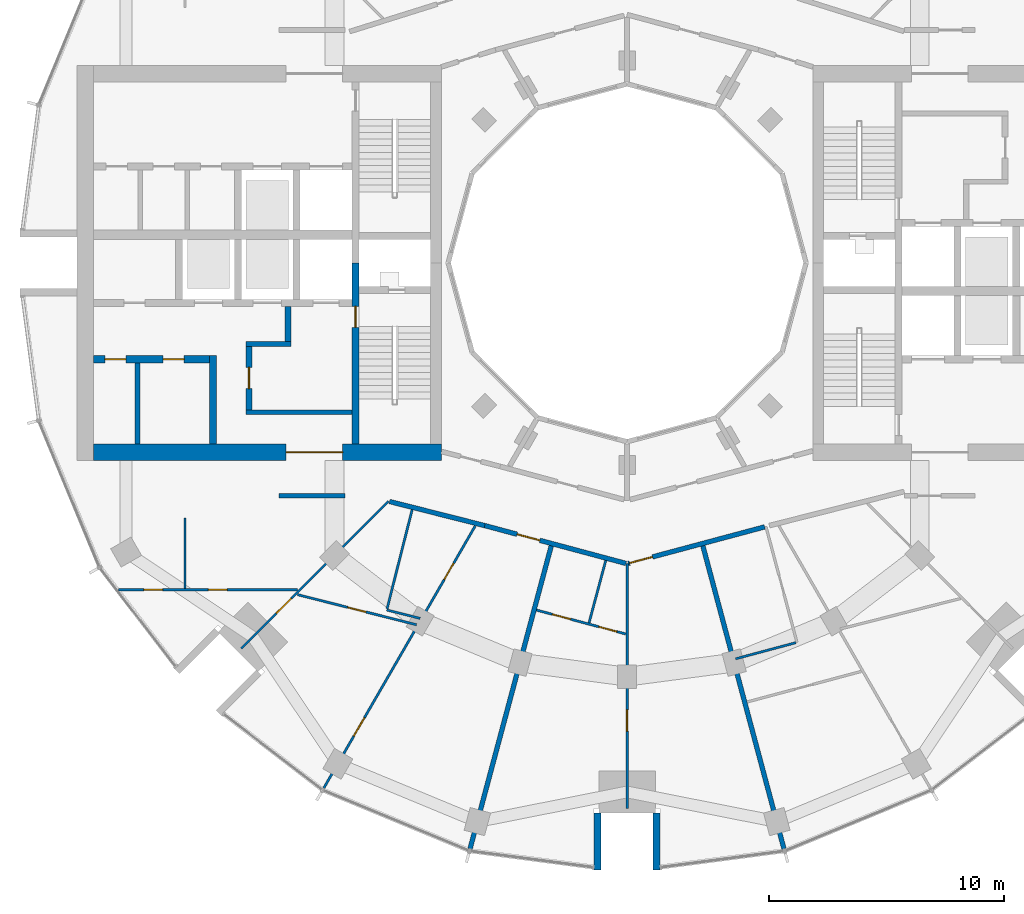
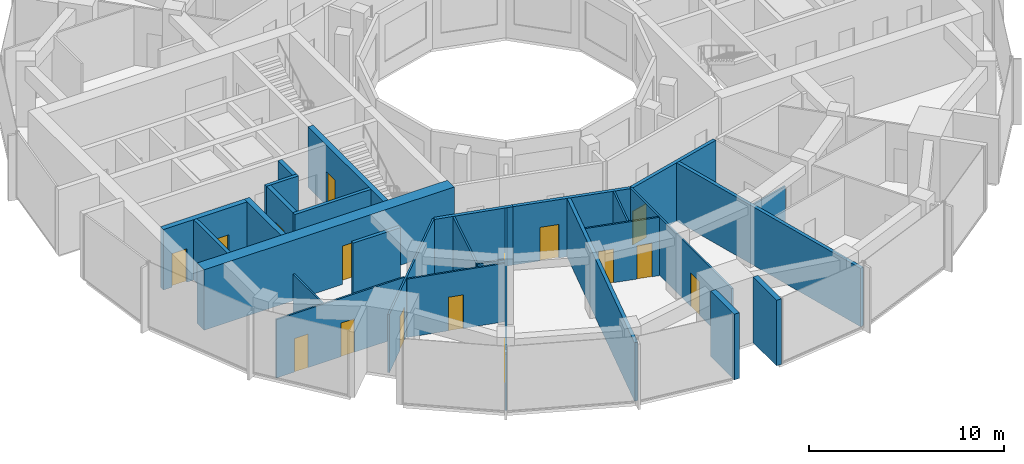
# One storey, part 8 of 15: 28 walls, 16 doors, 16 openings.
"""IFC4 building model written with IfcOpenShell, lengths in metres."""

from ifc_helpers import new_model, si_unit, direction, frame, frame_2d, origin, place, context, subcontext, project, spatial, rectangle, extrude, material, layer, layer_set, type_object, element, fill, save


model = new_model("IFC4")

# Units and contexts
model_context = context("Model", 3, precision=1e-05, world=origin(), true_north=direction((0.0, 1.0)))
body_context = subcontext(model_context, "Body", "Model", "MODEL_VIEW")
ifc_project = project(units=[si_unit("LENGTHUNIT", "METRE"), si_unit("AREAUNIT", "SQUARE_METRE"), si_unit("VOLUMEUNIT", "CUBIC_METRE"), si_unit("PLANEANGLEUNIT", "RADIAN"), si_unit("MASSUNIT", "GRAM", prefix="KILO")], contexts=[model_context])

# Site, building, storey
site_placement = place(None, origin())
site = spatial("IfcSite", under=ifc_project, at=site_placement, CompositionType="ELEMENT")
building_placement = place(site_placement, origin())
building = spatial("IfcBuilding", under=site, at=building_placement, Name="Torre Brocal", CompositionType="ELEMENT")
storey_placement = place(building_placement, frame((0.0, 0.0, 186.39990234375)))
storey = spatial("IfcBuildingStorey", under=building, at=storey_placement, Name="L43", CompositionType="ELEMENT", Elevation=186.39990234375)

# Walls
ifc_material_1 = material(Name="Masonry block", Category="masonry")
ifc_layer_1 = layer(ifc_material_1, 0.199951171875)
ifc_layer_set_1 = layer_set([ifc_layer_1], Name="Masonry block")
wall_type_1 = type_object("IfcWallType", Name="CORE PARTITION 200", PredefinedType="PARTITIONING", material=ifc_layer_set_1)
wall_1_placement = place(storey_placement, frame((59.180908203125, 70.75, 0.0), z_axis=(0.0, 0.0, 1.0), x_axis=(0.0, -1.0, 0.0)))
element("IfcWall", 1, at=wall_1_placement, inside=storey, type_object=wall_type_1, Name="Wall CP200", PredefinedType="PARTITIONING", context=body_context, shape_type="SweptSolid", body=[
    extrude(rectangle(XDim=3.449951171875, YDim=0.199951171875, at=frame_2d((1.72509765625, 0.0))), origin(), (0.0, 0.0, 1.0), 3.780029296875),
])
ifc_material_2 = material(Name="Concrete C70", Category="concrete")
ifc_layer_2 = layer(ifc_material_2, 0.199951171875)
ifc_layer_set_2 = layer_set([ifc_layer_2], Name="Concrete C70")
wall_type_2 = type_object("IfcWallType", Name="CORE WALL 200 C70", PredefinedType="SHEAR", material=ifc_layer_set_2)
wall_2_placement = place(storey_placement, frame((68.300048828125, 68.64990234375, 0.0), z_axis=(0.0, 0.0, 1.0), x_axis=(-1.0, 0.0, 0.0)))
element("IfcWall", 2, at=wall_2_placement, inside=storey, type_object=wall_type_2, Name="Wall CW200-70", PredefinedType="SHEAR", context=body_context, shape_type="SweptSolid", body=[
    extrude(rectangle(XDim=4.5, YDim=0.199951171875, at=frame_2d((2.25, 0.0))), origin(), (0.0, 0.0, 1.0), 3.780029296875),
])
wall_3_placement = place(storey_placement, frame((65.699951171875, 71.550048828125, 0.0), z_axis=(0.0, 0.0, 1.0), x_axis=(-1.0, 0.0, 0.0)))
element("IfcWall", 3, at=wall_3_placement, inside=storey, type_object=wall_type_2, Name="Wall CW200-70", PredefinedType="SHEAR", context=body_context, shape_type="SweptSolid", body=[
    extrude(rectangle(XDim=1.89990234375, YDim=0.199951171875, at=frame_2d((0.949951171875, 0.0))), origin(), (0.0, 0.0, 1.0), 3.780029296875),
])

# Wall, opening, door
ifc_material_3 = material(Name="Concrete C70", Category="concrete")
ifc_layer_3 = layer(ifc_material_3, 0.25)
ifc_layer_set_3 = layer_set([ifc_layer_3], Name="Concrete C70")
wall_type_3 = type_object("IfcWallType", Name="CORE WALL 250 C70", PredefinedType="SHEAR", material=ifc_layer_set_3)
wall_4_placement = place(storey_placement, frame((63.925048828125, 71.449951171875, 0.0), z_axis=(0.0, 0.0, 1.0), x_axis=(0.0, -1.0, 0.0)))
wall_4 = element("IfcWall", 4, at=wall_4_placement, inside=storey, type_object=wall_type_3, Name="Wall CW250-70", PredefinedType="SHEAR", context=body_context, shape_type="SweptSolid", body=[
    extrude(rectangle(XDim=2.699951171875, YDim=0.25, at=frame_2d((1.35009765625, 0.0))), origin(), (0.0, 0.0, 1.0), 3.780029296875),
])
opening_1_placement = place(wall_4_placement, frame((0.89990234375, 0.0, 0.0)))
opening_1 = element("IfcOpeningElement", 5, at=opening_1_placement, cuts=wall_4, Name="Opening W-D08", PredefinedType="OPENING", context=body_context, shape_type="SweptSolid", body=[
    extrude(rectangle(XDim=0.89990234375, YDim=2.10009765625, at=frame_2d((0.449951171875, 1.050048828125))), frame((0.0, 0.135009765625, 0.0), z_axis=(0.0, -1.0, 0.0), x_axis=(1.0, 0.0, 0.0)), (0.0, 0.0, 1.0), 0.27001953125),
])
ifc_material_4 = material(Name="Steel A653", Category="steel")
door_type_1 = type_object("IfcDoorType", Name="LOBBY DOOR FD120 900X2100", OperationType="SINGLE_SWING_RIGHT", PredefinedType="DOOR", material=ifc_material_4)
door_1_placement = place(opening_1_placement, origin())
door_1 = element("IfcDoor", 6, at=door_1_placement, inside=storey, type_object=door_type_1, Name="Door W-D08", OperationType="SINGLE_SWING_LEFT", OverallHeight=2.10009765625, OverallWidth=0.89990234375, PredefinedType="DOOR", context=body_context, shape_type="SweptSolid", body=[
    extrude(rectangle(XDim=0.89990234375, YDim=2.10009765625, at=frame_2d((0.449951171875, 1.050048828125))), frame((0.0, 0.02490234375, 0.0), z_axis=(0.0, -1.0, 0.0), x_axis=(1.0, 0.0, 0.0)), (0.0, 0.0, 1.0), 0.050048828125),
])
fill(opening_1, door_1)

# Wall
wall_5_placement = place(storey_placement, frame((65.574951171875, 73.14990234375, 0.0), z_axis=(0.0, 0.0, 1.0), x_axis=(0.0, -1.0, 0.0)))
element("IfcWall", 7, at=wall_5_placement, inside=storey, type_object=wall_type_3, Name="Wall CW250-70", PredefinedType="SHEAR", context=body_context, shape_type="SweptSolid", body=[
    extrude(rectangle(XDim=1.5, YDim=0.25, at=frame_2d((0.75, 0.0))), origin(), (0.0, 0.0, 1.0), 3.780029296875),
])

# Wall, opening, door
ifc_material_5 = material(Name="Concrete C70", Category="concrete")
ifc_layer_4 = layer(ifc_material_5, 0.300048828125)
ifc_layer_set_4 = layer_set([ifc_layer_4], Name="Concrete C70")
wall_type_4 = type_object("IfcWallType", Name="CORE WALL 300 C70", PredefinedType="SHEAR", material=ifc_layer_set_4)
wall_6_placement = place(storey_placement, frame((68.449951171875, 75.0, 0.0), z_axis=(0.0, 0.0, 1.0), x_axis=(0.0, -1.0, 0.0)))
wall_6 = element("IfcWall", 8, at=wall_6_placement, inside=storey, type_object=wall_type_4, Name="Wall CW300-70", PredefinedType="SHEAR", context=body_context, shape_type="SweptSolid", body=[
    extrude(rectangle(XDim=7.699951171875, YDim=0.300048828125, at=frame_2d((3.85009765625, 0.0))), origin(), (0.0, 0.0, 1.0), 3.780029296875),
])
opening_2_placement = place(wall_6_placement, frame((1.85009765625, 0.0, 0.0)))
opening_2 = element("IfcOpeningElement", 9, at=opening_2_placement, cuts=wall_6, Name="Opening W-D02", PredefinedType="OPENING", context=body_context, shape_type="SweptSolid", body=[
    extrude(rectangle(XDim=0.89990234375, YDim=2.10009765625, at=frame_2d((0.449951171875, 1.050048828125))), frame((0.0, 0.159912109375, 0.0), z_axis=(0.0, -1.0, 0.0), x_axis=(1.0, 0.0, 0.0)), (0.0, 0.0, 1.0), 0.320068359375),
])
ifc_material_6 = material(Name="Steel A653", Category="steel")
door_type_2 = type_object("IfcDoorType", Name="STAIR DOOR FD120 900X2100", OperationType="SINGLE_SWING_RIGHT", PredefinedType="DOOR", material=ifc_material_6)
door_2_placement = place(opening_2_placement, origin())
door_2 = element("IfcDoor", 10, at=door_2_placement, inside=storey, type_object=door_type_2, Name="Door W-D02", OperationType="SINGLE_SWING_LEFT", OverallHeight=2.10009765625, OverallWidth=0.89990234375, PredefinedType="DOOR", context=body_context, shape_type="SweptSolid", body=[
    extrude(rectangle(XDim=0.89990234375, YDim=2.10009765625, at=frame_2d((0.449951171875, 1.050048828125))), frame((0.0, 0.02490234375, 0.0), z_axis=(0.0, -1.0, 0.0), x_axis=(1.0, 0.0, 0.0)), (0.0, 0.0, 1.0), 0.050048828125),
])
fill(opening_2, door_2)

# Wall
wall_7_placement = place(storey_placement, frame((62.39990234375, 71.050048828125, 0.0), z_axis=(0.0, 0.0, 1.0), x_axis=(0.0, -1.0, 0.0)))
element("IfcWall", 11, at=wall_7_placement, inside=storey, type_object=wall_type_4, Name="Wall CW300-70", PredefinedType="SHEAR", context=body_context, shape_type="SweptSolid", body=[
    extrude(rectangle(XDim=3.75, YDim=0.300048828125, at=frame_2d((1.875, 0.0))), origin(), (0.0, 0.0, 1.0), 3.780029296875),
])

# Wall, openings, doors
wall_8_placement = place(storey_placement, frame((62.25, 70.89990234375, 0.0), z_axis=(0.0, 0.0, 1.0), x_axis=(-1.0, 0.0, 0.0)))
wall_8 = element("IfcWall", 12, at=wall_8_placement, inside=storey, type_object=wall_type_4, Name="Wall CW300-70", PredefinedType="SHEAR", context=body_context, shape_type="SweptSolid", body=[
    extrude(rectangle(XDim=4.949951171875, YDim=0.300048828125, at=frame_2d((2.47509765625, 0.0))), origin(), (0.0, 0.0, 1.0), 3.780029296875),
])
opening_3_placement = place(wall_8_placement, frame((1.08447265625, 0.0, 0.0)))
opening_3 = element("IfcOpeningElement", 13, at=opening_3_placement, cuts=wall_8, Name="Opening W-D09", PredefinedType="OPENING", context=body_context, shape_type="SweptSolid", body=[
    extrude(rectangle(XDim=0.89990234375, YDim=2.10009765625, at=frame_2d((0.449951171875, 1.050048828125))), frame((0.0, 0.159912109375, 0.0), z_axis=(0.0, -1.0, 0.0), x_axis=(1.0, 0.0, 0.0)), (0.0, 0.0, 1.0), 0.320068359375),
])
opening_4_placement = place(wall_8_placement, frame((3.5595703125, 0.0, 0.0)))
opening_4 = element("IfcOpeningElement", 14, at=opening_4_placement, cuts=wall_8, Name="Opening W-D10", PredefinedType="OPENING", context=body_context, shape_type="SweptSolid", body=[
    extrude(rectangle(XDim=0.89990234375, YDim=2.10009765625, at=frame_2d((0.449951171875, 1.050048828125))), frame((0.0, 0.159912109375, 0.0), z_axis=(0.0, -1.0, 0.0), x_axis=(1.0, 0.0, 0.0)), (0.0, 0.0, 1.0), 0.320068359375),
])
ifc_material_7 = material(Name="Steel A653", Category="steel")
door_type_3 = type_object("IfcDoorType", Name="ROOM DOOR FD30S 900X2100", OperationType="SINGLE_SWING_LEFT", PredefinedType="DOOR", material=ifc_material_7)
door_3_placement = place(opening_3_placement, origin())
door_3 = element("IfcDoor", 15, at=door_3_placement, inside=storey, type_object=door_type_3, Name="Door W-D09", OperationType="SINGLE_SWING_RIGHT", OverallHeight=2.10009765625, OverallWidth=0.89990234375, PredefinedType="DOOR", context=body_context, shape_type="SweptSolid", body=[
    extrude(rectangle(XDim=0.89990234375, YDim=2.10009765625, at=frame_2d((0.449951171875, 1.050048828125))), frame((0.0, 0.02490234375, 0.0), z_axis=(0.0, -1.0, 0.0), x_axis=(1.0, 0.0, 0.0)), (0.0, 0.0, 1.0), 0.050048828125),
])
fill(opening_3, door_3)
door_4_placement = place(opening_4_placement, origin())
door_4 = element("IfcDoor", 16, at=door_4_placement, inside=storey, type_object=door_type_3, Name="Door W-D10", OperationType="SINGLE_SWING_LEFT", OverallHeight=2.10009765625, OverallWidth=0.89990234375, PredefinedType="DOOR", context=body_context, shape_type="SweptSolid", body=[
    extrude(rectangle(XDim=0.89990234375, YDim=2.10009765625, at=frame_2d((0.449951171875, 1.050048828125))), frame((0.0, 0.02490234375, 0.0), z_axis=(0.0, -1.0, 0.0), x_axis=(1.0, 0.0, 0.0)), (0.0, 0.0, 1.0), 0.050048828125),
])
fill(opening_4, door_4)

# Wall, opening, door
ifc_material_8 = material(Name="Concrete C70", Category="concrete")
ifc_layer_5 = layer(ifc_material_8, 0.699951171875)
ifc_layer_set_5 = layer_set([ifc_layer_5], Name="Concrete C70")
wall_type_5 = type_object("IfcWallType", Name="CORE WALL 700 C70", PredefinedType="SHEAR", material=ifc_layer_set_5)
wall_9_placement = place(storey_placement, frame((72.10009765625, 66.949951171875, 0.0), z_axis=(0.0, 0.0, 1.0), x_axis=(-1.0, 0.0, 0.0)))
wall_9 = element("IfcWall", 17, at=wall_9_placement, inside=storey, type_object=wall_type_5, Name="Wall CW700-70", PredefinedType="SHEAR", context=body_context, shape_type="SweptSolid", body=[
    extrude(rectangle(XDim=14.800048828125, YDim=0.699951171875, at=frame_2d((7.39990234375, 0.0))), origin(), (0.0, 0.0, 1.0), 3.780029296875),
])
opening_5_placement = place(wall_9_placement, frame((4.199951171875, 0.0, 0.0)))
opening_5 = element("IfcOpeningElement", 18, at=opening_5_placement, cuts=wall_9, Name="Opening W-D34", PredefinedType="OPENING", context=body_context, shape_type="SweptSolid", body=[
    extrude(rectangle(XDim=2.39990234375, YDim=2.39990234375, at=frame_2d((1.199951171875, 1.199951171875))), frame((0.0, 0.35986328125, 0.0), z_axis=(0.0, -1.0, 0.0), x_axis=(1.0, 0.0, 0.0)), (0.0, 0.0, 1.0), 0.719970703125),
])
ifc_material_9 = material(Name="Steel A653", Category="steel")
door_type_4 = type_object("IfcDoorType", Name="DOUBLE FIRE DOOR FD90 2400X2400", OperationType="DOUBLE_DOOR_SINGLE_SWING", PredefinedType="DOOR", material=ifc_material_9)
door_5_placement = place(opening_5_placement, frame((2.39990234375, 0.0, 0.0), z_axis=(0.0, 0.0, 1.0), x_axis=(-1.0, 0.0, 0.0)))
door_5 = element("IfcDoor", 19, at=door_5_placement, inside=storey, type_object=door_type_4, Name="Door W-D34", OperationType="DOUBLE_DOOR_SINGLE_SWING", OverallHeight=2.39990234375, OverallWidth=2.39990234375, PredefinedType="DOOR", context=body_context, shape_type="SweptSolid", body=[
    extrude(rectangle(XDim=2.39990234375, YDim=2.39990234375, at=frame_2d((1.199951171875, 1.199951171875))), frame((0.0, 0.02490234375, 0.0), z_axis=(0.0, -1.0, 0.0), x_axis=(1.0, 0.0, 0.0)), (0.0, 0.0, 1.0), 0.050048828125),
])
fill(opening_5, door_5)

# Walls
ifc_material_10 = material(Name="Concrete C70", Category="concrete")
ifc_layer_6 = layer(ifc_material_10, 0.300048828125)
ifc_layer_set_6 = layer_set([ifc_layer_6], Name="Concrete C70")
wall_type_6 = type_object("IfcWallType", Name="NOTCH RETURN WALL 300 C70", PredefinedType="NOTDEFINED", material=ifc_layer_set_6)
for number, where, z_axis, x_axis, name in (
    (20, (78.75, 51.60009765625, 0.0), (0.0, 0.0, 1.0), (0.0, -1.0, 0.0), "NOTCH RETURN WALL"),
    (21, (81.25, 51.60009765625, 0.0), (0.0, 0.0, 1.0), (0.0, -1.0, 0.0), "NOTCH RETURN WALL"),
):
    element("IfcWall", number, at=place(storey_placement, frame(where, z_axis=z_axis, x_axis=x_axis)), inside=storey, type_object=wall_type_6, Name=name, PredefinedType="NOTDEFINED", context=body_context, shape_type="SweptSolid", body=[
        extrude(rectangle(XDim=2.415771484375, YDim=0.300048828125, at=frame_2d((1.2080078125, 0.0))), origin(), (0.0, 0.0, 1.0), 4.10009765625),
    ])

# Wall, openings, doors
ifc_material_11 = material(Name="Gypsum board", Category="Gypsum")
ifc_layer_7 = layer(ifc_material_11, 0.10009765625)
ifc_layer_set_7 = layer_set([ifc_layer_7], Name="Gypsum board")
wall_type_7 = type_object("IfcWallType", Name="PARTITION 100", PredefinedType="PARTITIONING", material=ifc_layer_set_7)
wall_10_placement = place(storey_placement, frame((58.37890625, 61.10009765625, 0.0), z_axis=(0.0, 0.0, 1.0), x_axis=(1.0, 0.0, 0.0)))
wall_10 = element("IfcWall", 22, at=wall_10_placement, inside=storey, type_object=wall_type_7, Name="BATHROOM WALL", PredefinedType="PARTITIONING", context=body_context, shape_type="SweptSolid", body=[
    extrude(rectangle(XDim=7.60107421875, YDim=0.10009765625, at=frame_2d((3.800537109375, 0.0))), origin(), (0.0, 0.0, 1.0), 3.650146484375),
])
opening_6_placement = place(wall_10_placement, frame((3.81103515625, 0.0, 0.0)))
opening_6 = element("IfcOpeningElement", 23, at=opening_6_placement, cuts=wall_10, Name="Opening R03-D36", PredefinedType="OPENING", context=body_context, shape_type="SweptSolid", body=[
    extrude(rectangle(XDim=0.800048828125, YDim=2.10009765625, at=frame_2d((0.39990234375, 1.050048828125))), frame((0.0, 0.06005859375, 0.0), z_axis=(0.0, -1.0, 0.0), x_axis=(1.0, 0.0, 0.0)), (0.0, 0.0, 1.0), 0.1201171875),
])
opening_7_placement = place(wall_10_placement, frame((1.075439453125, 0.0, 0.0)))
opening_7 = element("IfcOpeningElement", 24, at=opening_7_placement, cuts=wall_10, Name="Opening R03-D37", PredefinedType="OPENING", context=body_context, shape_type="SweptSolid", body=[
    extrude(rectangle(XDim=0.800048828125, YDim=2.10009765625, at=frame_2d((0.39990234375, 1.050048828125))), frame((0.0, 0.06005859375, 0.0), z_axis=(0.0, -1.0, 0.0), x_axis=(1.0, 0.0, 0.0)), (0.0, 0.0, 1.0), 0.1201171875),
])
ifc_material_12 = material(Name="Timber", Category="wood")
door_type_5 = type_object("IfcDoorType", Name="BATHROOM DOOR 800X2100", OperationType="SINGLE_SWING_LEFT", PredefinedType="DOOR", material=ifc_material_12)
door_6_placement = place(opening_6_placement, origin())
door_6 = element("IfcDoor", 25, at=door_6_placement, inside=storey, type_object=door_type_5, Name="R03-D36", OperationType="SINGLE_SWING_LEFT", OverallHeight=2.10009765625, OverallWidth=0.800048828125, PredefinedType="DOOR", context=body_context, shape_type="SweptSolid", body=[
    extrude(rectangle(XDim=0.800048828125, YDim=2.10009765625, at=frame_2d((0.39990234375, 1.050048828125))), frame((0.0, 0.02490234375, 0.0), z_axis=(0.0, -1.0, 0.0), x_axis=(1.0, 0.0, 0.0)), (0.0, 0.0, 1.0), 0.050048828125),
])
fill(opening_6, door_6)
door_7_placement = place(opening_7_placement, frame((0.800048828125, 0.0, 0.0), z_axis=(0.0, 0.0, 1.0), x_axis=(-1.0, 0.0, 0.0)))
door_7 = element("IfcDoor", 26, at=door_7_placement, inside=storey, type_object=door_type_5, Name="R03-D37", OperationType="SINGLE_SWING_RIGHT", OverallHeight=2.10009765625, OverallWidth=0.800048828125, PredefinedType="DOOR", context=body_context, shape_type="SweptSolid", body=[
    extrude(rectangle(XDim=0.800048828125, YDim=2.10009765625, at=frame_2d((0.39990234375, 1.050048828125))), frame((0.0, 0.02490234375, 0.0), z_axis=(0.0, -1.0, 0.0), x_axis=(1.0, 0.0, 0.0)), (0.0, 0.0, 1.0), 0.050048828125),
])
fill(opening_7, door_7)

# Wall
wall_11_placement = place(storey_placement, frame((61.199951171875, 61.14990234375, 0.0), z_axis=(0.0, 0.0, 1.0), x_axis=(0.0, 1.0, 0.0)))
element("IfcWall", 27, at=wall_11_placement, inside=storey, type_object=wall_type_7, Name="BATHROOM WALL", PredefinedType="PARTITIONING", context=body_context, shape_type="SweptSolid", body=[
    extrude(rectangle(XDim=2.9951171875, YDim=0.10009765625, at=frame_2d((1.49755859375, 0.0))), origin(), (0.0, 0.0, 1.0), 3.650146484375),
])

# Wall, opening, door
wall_12_placement = place(storey_placement, frame((63.591552734375, 58.599609375, 0.0), z_axis=(0.0, 0.0, 1.0), x_axis=(0.707272108928, 0.706941414781, 0.0)))
wall_12 = element("IfcWall", 28, at=wall_12_placement, inside=storey, type_object=wall_type_7, Name="BATHROOM WALL", PredefinedType="PARTITIONING", context=body_context, shape_type="SweptSolid", body=[
    extrude(rectangle(XDim=8.859130859375, YDim=0.10009765625, at=frame_2d((4.4296875, 0.0))), origin(), (0.0, 0.0, 1.0), 3.650146484375),
])
opening_8_placement = place(wall_12_placement, frame((2.11083984375, 0.0, 0.0)))
opening_8 = element("IfcOpeningElement", 29, at=opening_8_placement, cuts=wall_12, Name="Opening R03-D35", PredefinedType="OPENING", context=body_context, shape_type="SweptSolid", body=[
    extrude(rectangle(XDim=0.89990234375, YDim=2.10009765625, at=frame_2d((0.449951171875, 1.050048828125))), frame((0.0, 0.06005859375, 0.0), z_axis=(0.0, -1.0, 0.0), x_axis=(1.0, 0.0, 0.0)), (0.0, 0.0, 1.0), 0.1201171875),
])
ifc_material_13 = material(Name="Timber", Category="wood")
door_type_6 = type_object("IfcDoorType", Name="ROOM DOOR 900X2100", OperationType="SINGLE_SWING_LEFT", PredefinedType="DOOR", material=ifc_material_13)
door_8_placement = place(opening_8_placement, origin())
door_8 = element("IfcDoor", 30, at=door_8_placement, inside=storey, type_object=door_type_6, Name="R03-D35", OperationType="SINGLE_SWING_LEFT", OverallHeight=2.10009765625, OverallWidth=0.89990234375, PredefinedType="DOOR", context=body_context, shape_type="SweptSolid", body=[
    extrude(rectangle(XDim=0.89990234375, YDim=2.10009765625, at=frame_2d((0.449951171875, 1.050048828125))), frame((0.0, 0.02490234375, 0.0), z_axis=(0.0, -1.0, 0.0), x_axis=(1.0, 0.0, 0.0)), (0.0, 0.0, 1.0), 0.050048828125),
])
fill(opening_8, door_8)

wall_13_placement = place(storey_placement, frame((65.986572265625, 60.889404296875, 0.0), z_axis=(0.0, 0.0, 1.0), x_axis=(0.969431303535, -0.245362889871, 0.0)))
wall_13 = element("IfcWall", 31, at=wall_13_placement, inside=storey, type_object=wall_type_7, Name="BATHROOM WALL", PredefinedType="PARTITIONING", context=body_context, shape_type="SweptSolid", body=[
    extrude(rectangle(XDim=5.219970703125, YDim=0.10009765625, at=frame_2d((2.60986328125, 0.0))), origin(), (0.0, 0.0, 1.0), 3.650146484375),
])
opening_9_placement = place(wall_13_placement, frame((2.199951171875, 0.0, 0.0)))
opening_9 = element("IfcOpeningElement", 32, at=opening_9_placement, cuts=wall_13, Name="Opening R03-D33", PredefinedType="OPENING", context=body_context, shape_type="SweptSolid", body=[
    extrude(rectangle(XDim=0.800048828125, YDim=2.10009765625, at=frame_2d((0.39990234375, 1.050048828125))), frame((0.0, 0.06005859375, 0.0), z_axis=(0.0, -1.0, 0.0), x_axis=(1.0, 0.0, 0.0)), (0.0, 0.0, 1.0), 0.1201171875),
])
door_9_placement = place(opening_9_placement, origin())
door_9 = element("IfcDoor", 33, at=door_9_placement, inside=storey, type_object=door_type_5, Name="R03-D33", OperationType="SINGLE_SWING_RIGHT", OverallHeight=2.10009765625, OverallWidth=0.800048828125, PredefinedType="DOOR", context=body_context, shape_type="SweptSolid", body=[
    extrude(rectangle(XDim=0.800048828125, YDim=2.10009765625, at=frame_2d((0.39990234375, 1.050048828125))), frame((0.0, 0.02490234375, 0.0), z_axis=(0.0, -1.0, 0.0), x_axis=(1.0, 0.0, 0.0)), (0.0, 0.0, 1.0), 0.050048828125),
])
fill(opening_9, door_9)

# Wall, openings, doors
wall_14_placement = place(storey_placement, frame((67.099365234375, 52.65966796875, 0.0), z_axis=(0.0, 0.0, 1.0), x_axis=(0.500286442712, 0.865859962834, 0.0)))
wall_14 = element("IfcWall", 34, at=wall_14_placement, inside=storey, type_object=wall_type_7, Name="BATHROOM WALL", PredefinedType="PARTITIONING", context=body_context, shape_type="SweptSolid", body=[
    extrude(rectangle(XDim=12.87646484375, YDim=0.10009765625, at=frame_2d((6.438232421875, 0.0))), origin(), (0.0, 0.0, 1.0), 3.650146484375),
])
opening_10_placement = place(wall_14_placement, frame((2.555908203125, 0.0, 0.0)))
opening_10 = element("IfcOpeningElement", 35, at=opening_10_placement, cuts=wall_14, Name="Opening R03-D32", PredefinedType="OPENING", context=body_context, shape_type="SweptSolid", body=[
    extrude(rectangle(XDim=0.89990234375, YDim=2.10009765625, at=frame_2d((0.449951171875, 1.050048828125))), frame((0.0, 0.06005859375, 0.0), z_axis=(0.0, -1.0, 0.0), x_axis=(1.0, 0.0, 0.0)), (0.0, 0.0, 1.0), 0.1201171875),
])
opening_11_placement = place(wall_14_placement, frame((10.247802734375, 0.0, 0.0)))
opening_11 = element("IfcOpeningElement", 36, at=opening_11_placement, cuts=wall_14, Name="Opening R03-D34", PredefinedType="OPENING", context=body_context, shape_type="SweptSolid", body=[
    extrude(rectangle(XDim=0.800048828125, YDim=2.10009765625, at=frame_2d((0.39990234375, 1.050048828125))), frame((0.0, 0.06005859375, 0.0), z_axis=(0.0, -1.0, 0.0), x_axis=(1.0, 0.0, 0.0)), (0.0, 0.0, 1.0), 0.1201171875),
])
door_10_placement = place(opening_11_placement, origin())
door_10 = element("IfcDoor", 37, at=door_10_placement, inside=storey, type_object=door_type_5, Name="R03-D34", OperationType="SINGLE_SWING_RIGHT", OverallHeight=2.10009765625, OverallWidth=0.800048828125, PredefinedType="DOOR", context=body_context, shape_type="SweptSolid", body=[
    extrude(rectangle(XDim=0.800048828125, YDim=2.10009765625, at=frame_2d((0.39990234375, 1.050048828125))), frame((0.0, 0.02490234375, 0.0), z_axis=(0.0, -1.0, 0.0), x_axis=(1.0, 0.0, 0.0)), (0.0, 0.0, 1.0), 0.050048828125),
])
fill(opening_11, door_10)
door_11_placement = place(opening_10_placement, origin())
door_11 = element("IfcDoor", 38, at=door_11_placement, inside=storey, type_object=door_type_6, Name="R03-D32", OperationType="SINGLE_SWING_LEFT", OverallHeight=2.10009765625, OverallWidth=0.89990234375, PredefinedType="DOOR", context=body_context, shape_type="SweptSolid", body=[
    extrude(rectangle(XDim=0.89990234375, YDim=2.10009765625, at=frame_2d((0.449951171875, 1.050048828125))), frame((0.0, 0.02490234375, 0.0), z_axis=(0.0, -1.0, 0.0), x_axis=(1.0, 0.0, 0.0)), (0.0, 0.0, 1.0), 0.050048828125),
])
fill(opening_10, door_11)

# Walls
wall_15_placement = place(storey_placement, frame((69.793212890625, 60.28662109375, 0.0), z_axis=(0.0, 0.0, 1.0), x_axis=(0.245307703654, 0.969445269486, 0.0)))
element("IfcWall", 39, at=wall_15_placement, inside=storey, type_object=wall_type_7, Name="BATHROOM WALL", PredefinedType="PARTITIONING", context=body_context, shape_type="SweptSolid", body=[
    extrude(rectangle(XDim=4.35009765625, YDim=0.10009765625, at=frame_2d((2.175048828125, 0.0))), origin(), (0.0, 0.0, 1.0), 3.650146484375),
])
wall_16_placement = place(storey_placement, frame((69.781005859375, 60.238037109375, 0.0), z_axis=(0.0, 0.0, 1.0), x_axis=(0.969502558328, -0.245081189397, 0.0)))
element("IfcWall", 40, at=wall_16_placement, inside=storey, type_object=wall_type_7, Name="BATHROOM WALL", PredefinedType="PARTITIONING", context=body_context, shape_type="SweptSolid", body=[
    extrude(rectangle(XDim=1.46630859375, YDim=0.10009765625, at=frame_2d((0.733154296875, 0.0))), origin(), (0.0, 0.0, 1.0), 3.650146484375),
])

# Wall, openings, doors
wall_17_placement = place(storey_placement, frame((76.14697265625, 60.234130859375, 0.0), z_axis=(0.0, 0.0, 1.0), x_axis=(0.965925861199, -0.258818914816, 0.0)))
wall_17 = element("IfcWall", 41, at=wall_17_placement, inside=storey, type_object=wall_type_7, Name="BATHROOM WALL", PredefinedType="PARTITIONING", context=body_context, shape_type="SweptSolid", body=[
    extrude(rectangle(XDim=3.9287109375, YDim=0.10009765625, at=frame_2d((1.96435546875, 0.0))), origin(), (0.0, 0.0, 1.0), 3.650146484375),
])
opening_12_placement = place(wall_17_placement, frame((0.699951171875, 0.0, 0.0)))
opening_12 = element("IfcOpeningElement", 42, at=opening_12_placement, cuts=wall_17, Name="Opening R03-D29", PredefinedType="OPENING", context=body_context, shape_type="SweptSolid", body=[
    extrude(rectangle(XDim=0.800048828125, YDim=2.10009765625, at=frame_2d((0.39990234375, 1.050048828125))), frame((0.0, 0.06005859375, 0.0), z_axis=(0.0, -1.0, 0.0), x_axis=(1.0, 0.0, 0.0)), (0.0, 0.0, 1.0), 0.1201171875),
])
opening_13_placement = place(wall_17_placement, frame((2.74462890625, 0.0, 0.0)))
opening_13 = element("IfcOpeningElement", 43, at=opening_13_placement, cuts=wall_17, Name="Opening R03-D30", PredefinedType="OPENING", context=body_context, shape_type="SweptSolid", body=[
    extrude(rectangle(XDim=0.800048828125, YDim=2.10009765625, at=frame_2d((0.39990234375, 1.050048828125))), frame((0.0, 0.06005859375, 0.0), z_axis=(0.0, -1.0, 0.0), x_axis=(1.0, 0.0, 0.0)), (0.0, 0.0, 1.0), 0.1201171875),
])
door_12_placement = place(opening_12_placement, origin())
door_12 = element("IfcDoor", 44, at=door_12_placement, inside=storey, type_object=door_type_5, Name="R03-D29", OperationType="SINGLE_SWING_LEFT", OverallHeight=2.10009765625, OverallWidth=0.800048828125, PredefinedType="DOOR", context=body_context, shape_type="SweptSolid", body=[
    extrude(rectangle(XDim=0.800048828125, YDim=2.10009765625, at=frame_2d((0.39990234375, 1.050048828125))), frame((0.0, 0.02490234375, 0.0), z_axis=(0.0, -1.0, 0.0), x_axis=(1.0, 0.0, 0.0)), (0.0, 0.0, 1.0), 0.050048828125),
])
fill(opening_12, door_12)
door_13_placement = place(opening_13_placement, origin())
door_13 = element("IfcDoor", 45, at=door_13_placement, inside=storey, type_object=door_type_5, Name="R03-D30", OperationType="SINGLE_SWING_RIGHT", OverallHeight=2.10009765625, OverallWidth=0.800048828125, PredefinedType="DOOR", context=body_context, shape_type="SweptSolid", body=[
    extrude(rectangle(XDim=0.800048828125, YDim=2.10009765625, at=frame_2d((0.39990234375, 1.050048828125))), frame((0.0, 0.02490234375, 0.0), z_axis=(0.0, -1.0, 0.0), x_axis=(1.0, 0.0, 0.0)), (0.0, 0.0, 1.0), 0.050048828125),
])
fill(opening_13, door_13)

# Wall
wall_18_placement = place(storey_placement, frame((78.3818359375, 59.687255859375, 0.0), z_axis=(0.0, 0.0, 1.0), x_axis=(0.258629573817, 0.965976575051, 0.0)))
element("IfcWall", 46, at=wall_18_placement, inside=storey, type_object=wall_type_7, Name="BATHROOM WALL", PredefinedType="PARTITIONING", context=body_context, shape_type="SweptSolid", body=[
    extrude(rectangle(XDim=2.749755859375, YDim=0.10009765625, at=frame_2d((1.375, 0.0))), origin(), (0.0, 0.0, 1.0), 3.650146484375),
])

# Wall, opening, door
wall_19_placement = place(storey_placement, frame((80.0, 51.800048828125, 0.0), z_axis=(0.0, 0.0, 1.0), x_axis=(0.0, 1.0, 0.0)))
wall_19 = element("IfcWall", 47, at=wall_19_placement, inside=storey, type_object=wall_type_7, Name="BATHROOM WALL", PredefinedType="PARTITIONING", context=body_context, shape_type="SweptSolid", body=[
    extrude(rectangle(XDim=10.404052734375, YDim=0.10009765625, at=frame_2d((5.2021484375, 0.0))), origin(), (0.0, 0.0, 1.0), 3.650146484375),
])
opening_14_placement = place(wall_19_placement, frame((3.285888671875, 0.0, 0.0)))
opening_14 = element("IfcOpeningElement", 48, at=opening_14_placement, cuts=wall_19, Name="Opening R03-D28", PredefinedType="OPENING", context=body_context, shape_type="SweptSolid", body=[
    extrude(rectangle(XDim=0.89990234375, YDim=2.10009765625, at=frame_2d((0.449951171875, 1.050048828125))), frame((0.0, 0.06005859375, 0.0), z_axis=(0.0, -1.0, 0.0), x_axis=(1.0, 0.0, 0.0)), (0.0, 0.0, 1.0), 0.1201171875),
])
door_14_placement = place(opening_14_placement, origin())
door_14 = element("IfcDoor", 49, at=door_14_placement, inside=storey, type_object=door_type_6, Name="R03-D28", OperationType="SINGLE_SWING_LEFT", OverallHeight=2.10009765625, OverallWidth=0.89990234375, PredefinedType="DOOR", context=body_context, shape_type="SweptSolid", body=[
    extrude(rectangle(XDim=0.89990234375, YDim=2.10009765625, at=frame_2d((0.449951171875, 1.050048828125))), frame((0.0, 0.02490234375, 0.0), z_axis=(0.0, -1.0, 0.0), x_axis=(1.0, 0.0, 0.0)), (0.0, 0.0, 1.0), 0.050048828125),
])
fill(opening_14, door_14)

# Walls
ifc_material_14 = material(Name="Gypsum board", Category="Gypsum")
ifc_layer_8 = layer(ifc_material_14, 0.10009765625)
ifc_layer_set_8 = layer_set([ifc_layer_8], Name="Gypsum board")
wall_type_8 = type_object("IfcWallType", Name="PARTITION 100 UNDER BEAM 820", PredefinedType="PARTITIONING", material=ifc_layer_set_8)
wall_20_placement = place(storey_placement, frame((84.615478515625, 58.160888671875, 0.0), z_axis=(0.0, 0.0, 1.0), x_axis=(0.965902408875, 0.258906424273, 0.0)))
element("IfcWall", 50, at=wall_20_placement, inside=storey, type_object=wall_type_8, Name="BATHROOM WALL", PredefinedType="PARTITIONING", context=body_context, shape_type="SweptSolid", body=[
    extrude(rectangle(XDim=2.650634765625, YDim=0.10009765625, at=frame_2d((1.3251953125, 0.0))), origin(), (0.0, 0.0, 1.0), 3.280029296875),
])
ifc_material_15 = material(Name="Gypsum board", Category="Gypsum")
ifc_layer_9 = layer(ifc_material_15, 0.199951171875)
ifc_layer_set_9 = layer_set([ifc_layer_9], Name="Gypsum board")
wall_type_9 = type_object("IfcWallType", Name="PARTITION 200 EI60", PredefinedType="PARTITIONING", material=ifc_layer_set_9)
wall_21_placement = place(storey_placement, frame((65.199951171875, 65.10009765625, 0.0), z_axis=(0.0, 0.0, 1.0), x_axis=(1.0, 0.0, 0.0)))
element("IfcWall", 51, at=wall_21_placement, inside=storey, type_object=wall_type_9, Name="GUESTROOM CORRIDOR WALL", PredefinedType="PARTITIONING", context=body_context, shape_type="SweptSolid", body=[
    extrude(rectangle(XDim=2.800048828125, YDim=0.199951171875, at=frame_2d((1.39990234375, 0.0))), origin(), (0.0, 0.0, 1.0), 3.650146484375),
])
wall_22_placement = place(storey_placement, frame((69.898681640625, 64.850341796875, 0.0), z_axis=(0.0, 0.0, 1.0), x_axis=(0.969429930153, -0.245368316057, 0.0)))
element("IfcWall", 52, at=wall_22_placement, inside=storey, type_object=wall_type_9, Name="FLAT ENTRANCE WALL", PredefinedType="PARTITIONING", context=body_context, shape_type="SweptSolid", body=[
    extrude(rectangle(XDim=4.176025390625, YDim=0.199951171875, at=frame_2d((2.087890625, 0.0))), origin(), (0.0, 0.0, 1.0), 3.650146484375),
])
wall_23_placement = place(storey_placement, frame((73.322021484375, 50.0810546875, 0.0), z_axis=(0.0, 0.0, 1.0), x_axis=(0.258965725415, 0.965886511481, 0.0)))
element("IfcWall", 53, at=wall_23_placement, inside=storey, type_object=wall_type_9, Name="BATHROOM WALL", PredefinedType="PARTITIONING", context=body_context, shape_type="SweptSolid", body=[
    extrude(rectangle(XDim=13.338134765625, YDim=0.199951171875, at=frame_2d((6.6689453125, 0.0))), origin(), (0.0, 0.0, 1.0), 3.650146484375),
])

# Wall, opening, door
wall_24_placement = place(storey_placement, frame((73.947021484375, 63.826171875, 0.0), z_axis=(0.0, 0.0, 1.0), x_axis=(0.965898432367, -0.258921258979, 0.0)))
wall_24 = element("IfcWall", 54, at=wall_24_placement, inside=storey, type_object=wall_type_9, Name="FLAT ENTRANCE WALL", PredefinedType="PARTITIONING", context=body_context, shape_type="SweptSolid", body=[
    extrude(rectangle(XDim=6.216552734375, YDim=0.199951171875, at=frame_2d((3.1083984375, 0.0))), origin(), (0.0, 0.0, 1.0), 3.650146484375),
])
opening_15_placement = place(wall_24_placement, frame((1.42431640625, 0.0, 0.0)))
opening_15 = element("IfcOpeningElement", 55, at=opening_15_placement, cuts=wall_24, Name="Opening R03-D31", PredefinedType="OPENING", context=body_context, shape_type="SweptSolid", body=[
    extrude(rectangle(XDim=1.0, YDim=2.10009765625, at=frame_2d((0.5, 1.050048828125))), frame((0.0, 0.10986328125, 0.0), z_axis=(0.0, -1.0, 0.0), x_axis=(1.0, 0.0, 0.0)), (0.0, 0.0, 1.0), 0.219970703125),
])
ifc_material_16 = material(Name="Timber", Category="wood")
door_type_7 = type_object("IfcDoorType", Name="FLAT ENTRY DOOR FD30S 1000X2100", OperationType="SINGLE_SWING_RIGHT", PredefinedType="DOOR", material=ifc_material_16)
door_15_placement = place(opening_15_placement, frame((1.0, 0.0, 0.0), z_axis=(0.0, 0.0, 1.0), x_axis=(-1.0, 0.0, 0.0)))
door_15 = element("IfcDoor", 56, at=door_15_placement, inside=storey, type_object=door_type_7, Name="R03-D31", OperationType="SINGLE_SWING_LEFT", OverallHeight=2.10009765625, OverallWidth=1.0, PredefinedType="DOOR", context=body_context, shape_type="SweptSolid", body=[
    extrude(rectangle(XDim=1.0, YDim=2.10009765625, at=frame_2d((0.5, 1.050048828125))), frame((0.0, 0.02490234375, 0.0), z_axis=(0.0, -1.0, 0.0), x_axis=(1.0, 0.0, 0.0)), (0.0, 0.0, 1.0), 0.050048828125),
])
fill(opening_15, door_15)

wall_25_placement = place(storey_placement, frame((80.048095703125, 62.21728515625, 0.0), z_axis=(0.0, 0.0, 1.0), x_axis=(0.965967276872, 0.258664299841, 0.0)))
wall_25 = element("IfcWall", 57, at=wall_25_placement, inside=storey, type_object=wall_type_9, Name="FLAT ENTRANCE WALL", PredefinedType="PARTITIONING", context=body_context, shape_type="SweptSolid", body=[
    extrude(rectangle(XDim=6.006591796875, YDim=0.199951171875, at=frame_2d((3.00341796875, 0.0))), origin(), (0.0, 0.0, 1.0), 3.650146484375),
])
opening_16_placement = place(wall_25_placement, frame((0.06591796875, 0.0, 0.0)))
opening_16 = element("IfcOpeningElement", 58, at=opening_16_placement, cuts=wall_25, Name="Opening R03-D27", PredefinedType="OPENING", context=body_context, shape_type="SweptSolid", body=[
    extrude(rectangle(XDim=1.0, YDim=2.10009765625, at=frame_2d((0.5, 1.050048828125))), frame((0.0, 0.10986328125, 0.0), z_axis=(0.0, -1.0, 0.0), x_axis=(1.0, 0.0, 0.0)), (0.0, 0.0, 1.0), 0.219970703125),
])
door_16_placement = place(opening_16_placement, frame((1.0, 0.0, 0.0), z_axis=(0.0, 0.0, 1.0), x_axis=(-1.0, 0.0, 0.0)))
door_16 = element("IfcDoor", 59, at=door_16_placement, inside=storey, type_object=door_type_7, Name="R03-D27", OperationType="SINGLE_SWING_RIGHT", OverallHeight=2.10009765625, OverallWidth=1.0, PredefinedType="DOOR", context=body_context, shape_type="SweptSolid", body=[
    extrude(rectangle(XDim=1.0, YDim=2.10009765625, at=frame_2d((0.5, 1.050048828125))), frame((0.0, 0.02490234375, 0.0), z_axis=(0.0, -1.0, 0.0), x_axis=(1.0, 0.0, 0.0)), (0.0, 0.0, 1.0), 0.050048828125),
])
fill(opening_16, door_16)

# Wall
wall_26_placement = place(storey_placement, frame((83.22216796875, 62.963623046875, 0.0), z_axis=(0.0, 0.0, 1.0), x_axis=(0.25865252128, -0.965970430829, 0.0)))
element("IfcWall", 60, at=wall_26_placement, inside=storey, type_object=wall_type_9, Name="BATHROOM WALL", PredefinedType="PARTITIONING", context=body_context, shape_type="SweptSolid", body=[
    extrude(rectangle(XDim=13.338134765625, YDim=0.199951171875, at=frame_2d((6.6689453125, 0.0))), origin(), (0.0, 0.0, 1.0), 3.650146484375),
])

save(model, "model.ifc")
